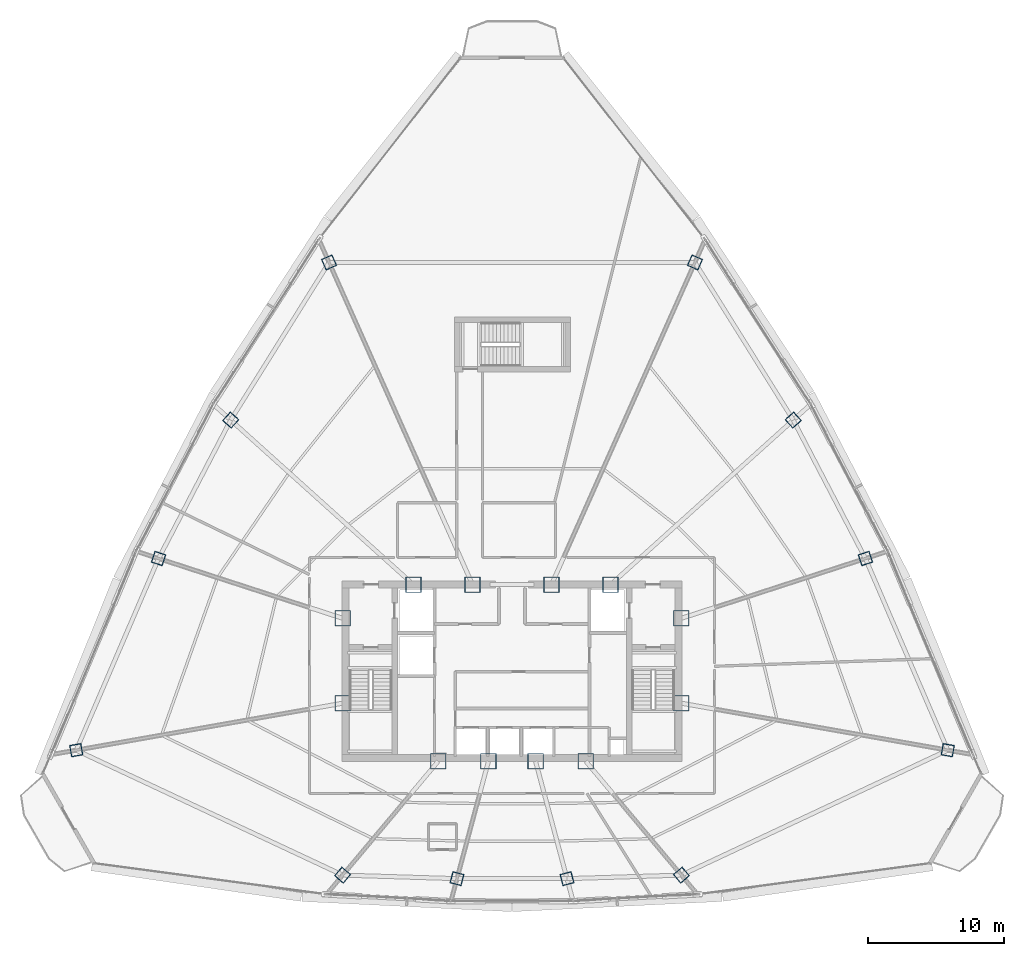
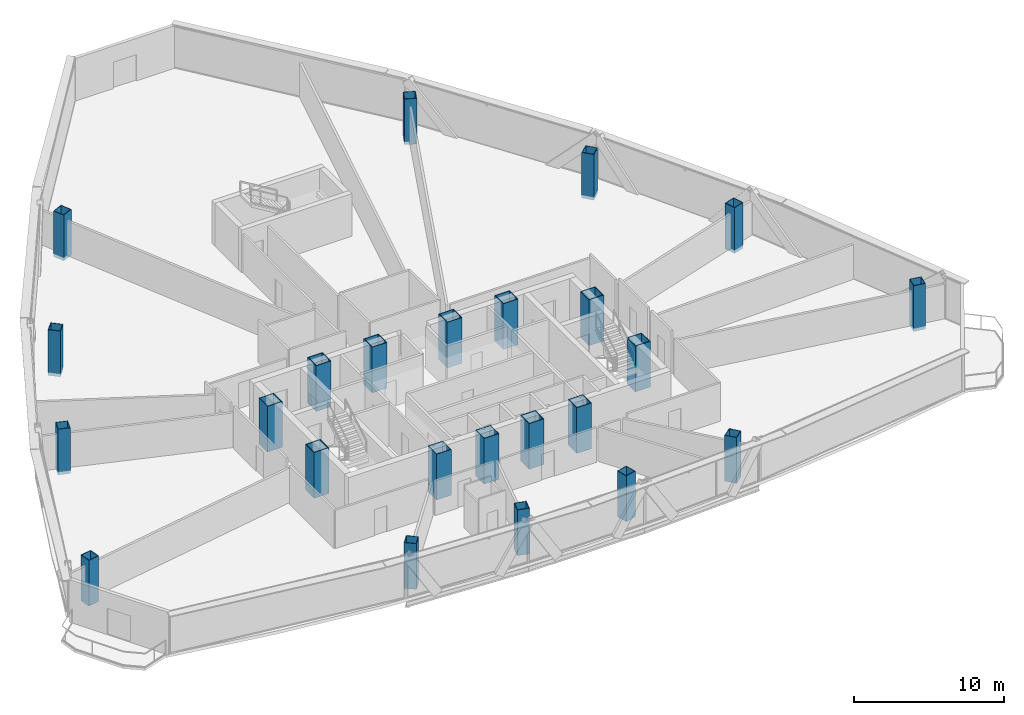
# One storey, part 1 of 37: 24 columns.
"""IFC4 building model written with IfcOpenShell, lengths in metres."""

from ifc_helpers import new_model, si_unit, direction, frame, origin, origin_2d, place, context, subcontext, project, spatial, hollow_rectangle, extrude, source, transform, mapped, material, material_profile, profile_set, type_object, element, save


model = new_model("IFC4")

# Units and contexts
model_context = context("Model", 3, precision=1e-05, world=origin(), true_north=direction((0.0, 1.0)))
body_context = subcontext(model_context, "Body", "Model", "MODEL_VIEW")
ifc_project = project(units=[si_unit("LENGTHUNIT", "METRE"), si_unit("AREAUNIT", "SQUARE_METRE"), si_unit("VOLUMEUNIT", "CUBIC_METRE"), si_unit("PLANEANGLEUNIT", "RADIAN"), si_unit("MASSUNIT", "GRAM", prefix="KILO"), si_unit("THERMODYNAMICTEMPERATUREUNIT", "KELVIN"), si_unit("POWERUNIT", "WATT")], contexts=[model_context])

# Site, building, storey
site_placement = place(None, origin())
site = spatial("IfcSite", under=ifc_project, at=site_placement, CompositionType="ELEMENT")
building_placement = place(site_placement, origin())
building = spatial("IfcBuilding", under=site, at=building_placement, Name="Yunzhuo Pagoda Commons", CompositionType="ELEMENT")
storey_placement = place(building_placement, frame((0.0, 0.0, 251.989990234375)))
storey = spatial("IfcBuildingStorey", under=building, at=storey_placement, Name="L63", CompositionType="ELEMENT", Elevation=251.989990234375)

# Columns
ifc_material_1 = material(Name="Structural steel Q420B", Category="steel")
ifc_material_profile_1 = material_profile(ifc_material_1, hollow_rectangle(XDim=1.14990234375, YDim=1.14990234375, WallThickness=0.048095703125, at=origin_2d()), Name="Structural steel Q420B")
ifc_profile_set_1 = profile_set([ifc_material_profile_1], Name="Structural steel Q420B")
column_type_1 = type_object("IfcColumnType", Name="C-COR Column BOX 1150x1150x48", PredefinedType="COLUMN", material=ifc_profile_set_1)
shared_shape_1 = source(origin(), body_context, "Body", "SweptSolid", [
    extrude(hollow_rectangle(XDim=1.14990234375, YDim=1.14990234375, WallThickness=0.048095703125, at=origin_2d()), origin(), (0.0, 0.0, 1.0), 3.729736328125),
])
for number, where, z_axis, x_axis, name in (
    (1, (42.587890625, 27.25, -0.259765625), (0.0, 0.0, 1.0), (1.0, 0.0, 0.0), "L63 core composite column F1C1"),
    (2, (46.27197265625, 27.25, -0.259765625), (0.0, 0.0, 1.0), (1.0, 0.0, 0.0), "L63 core composite column F1C2"),
    (3, (49.728515625, 27.25, -0.259765625), (0.0, 0.0, 1.0), (1.0, 0.0, 0.0), "L63 core composite column F1C3"),
    (4, (53.412109375, 27.25, -0.259765625), (0.0, 0.0, 1.0), (1.0, 0.0, 0.0), "L63 core composite column F1C4"),
    (5, (60.39990234375, 31.513427734375, -0.259765625), (0.0, 0.0, 1.0), (1.0, 0.0, 0.0), "L63 core composite column F2C1"),
    (6, (60.39990234375, 37.72900390625, -0.259765625), (0.0, 0.0, 1.0), (1.0, 0.0, 0.0), "L63 core composite column F2C2"),
    (7, (55.218994140625, 40.199951171875, -0.259765625), (0.0, 0.0, 1.0), (1.0, 0.0, 0.0), "L63 core composite column F2C3"),
    (8, (50.89404296875, 40.199951171875, -0.259765625), (0.0, 0.0, 1.0), (1.0, 0.0, 0.0), "L63 core composite column F2C4"),
    (9, (45.10595703125, 40.199951171875, -0.259765625), (0.0, 0.0, 1.0), (1.0, 0.0, 0.0), "L63 core composite column F3C1"),
    (10, (40.781005859375, 40.199951171875, -0.259765625), (0.0, 0.0, 1.0), (1.0, 0.0, 0.0), "L63 core composite column F3C2"),
    (11, (35.60009765625, 37.72900390625, -0.259765625), (0.0, 0.0, 1.0), (1.0, 0.0, 0.0), "L63 core composite column F3C3"),
    (12, (35.60009765625, 31.513427734375, -0.259765625), (0.0, 0.0, 1.0), (1.0, 0.0, 0.0), "L63 core composite column F3C4"),
):
    element("IfcColumn", number, at=place(storey_placement, frame(where, z_axis=z_axis, x_axis=x_axis)), inside=storey, type_object=column_type_1, Name=name, PredefinedType="COLUMN", context=body_context, shape_type="MappedRepresentation", body=[
        mapped(shared_shape_1, transform((0.0, 0.0, 0.0), scale=1.0)),
    ])
ifc_material_2 = material(Name="Structural steel Q355B", Category="steel")
ifc_material_profile_2 = material_profile(ifc_material_2, hollow_rectangle(XDim=0.85009765625, YDim=0.85009765625, WallThickness=0.033935546875, at=origin_2d()), Name="Structural steel Q355B")
ifc_profile_set_2 = profile_set([ifc_material_profile_2], Name="Structural steel Q355B")
column_type_2 = type_object("IfcColumnType", Name="C-Z5 Column BOX 850x850x34", PredefinedType="COLUMN", material=ifc_profile_set_2)
shared_shape_2 = source(origin(), body_context, "Body", "SweptSolid", [
    extrude(hollow_rectangle(XDim=0.85009765625, YDim=0.85009765625, WallThickness=0.033935546875, at=origin_2d()), origin(), (0.0, 0.0, 1.0), 3.729736328125),
])
for number, where, z_axis, x_axis, name in (
    (13, (35.593017578125, 18.913818359375, -0.259765625), (0.0, 0.0, 1.0), (0.766044443119, -0.642787609687, 0.0), "L63 tower column F1C1"),
    (14, (43.968505859375, 18.654052734375, -0.259765625), (0.0, 0.0, 1.0), (0.965925826289, -0.258819045103, 0.0), "L63 tower column F1C2"),
    (15, (52.031494140625, 18.654052734375, -0.259765625), (0.0, 0.0, 1.0), (0.965925826289, 0.258819045103, 0.0), "L63 tower column F1C3"),
    (16, (60.406982421875, 18.913818359375, -0.259765625), (0.0, 0.0, 1.0), (0.766044443119, 0.642787609687, 0.0), "L63 tower column F1C4"),
    (17, (79.93408203125, 28.069091796875, -0.259765625), (0.0, 0.0, 1.0), (0.173648177667, 0.984807753012, 0.0), "L63 tower column F2C1"),
    (18, (73.898681640625, 42.114990234375, -0.259765625), (0.0, 0.0, 1.0), (-0.309016994375, 0.951056516295, 0.0), "L63 tower column F2C2"),
    (19, (68.61181640625, 52.259033203125, -0.259765625), (0.0, 0.0, 1.0), (-0.669130606359, 0.743144825477, 0.0), "L63 tower column F2C3"),
    (20, (61.40673828125, 63.81201171875, -0.259765625), (0.0, 0.0, 1.0), (-0.913545457643, 0.406736643076, 0.0), "L63 tower column F2C4"),
    (21, (34.59326171875, 63.81201171875, -0.259765625), (0.0, 0.0, 1.0), (-0.913545457643, -0.406736643076, 0.0), "L63 tower column F3C1"),
    (22, (27.38818359375, 52.259033203125, -0.259765625), (0.0, 0.0, 1.0), (-0.669130606359, -0.743144825477, 0.0), "L63 tower column F3C2"),
    (23, (22.101806640625, 42.114990234375, -0.259765625), (0.0, 0.0, 1.0), (-0.309016994375, -0.951056516295, 0.0), "L63 tower column F3C3"),
    (24, (16.06591796875, 28.069091796875, -0.259765625), (0.0, 0.0, 1.0), (0.173648177667, -0.984807753012, 0.0), "L63 tower column F3C4"),
):
    element("IfcColumn", number, at=place(storey_placement, frame(where, z_axis=z_axis, x_axis=x_axis)), inside=storey, type_object=column_type_2, Name=name, PredefinedType="COLUMN", context=body_context, shape_type="MappedRepresentation", body=[
        mapped(shared_shape_2, transform((0.0, 0.0, 0.0), scale=1.0)),
    ])

save(model, "model.ifc")
